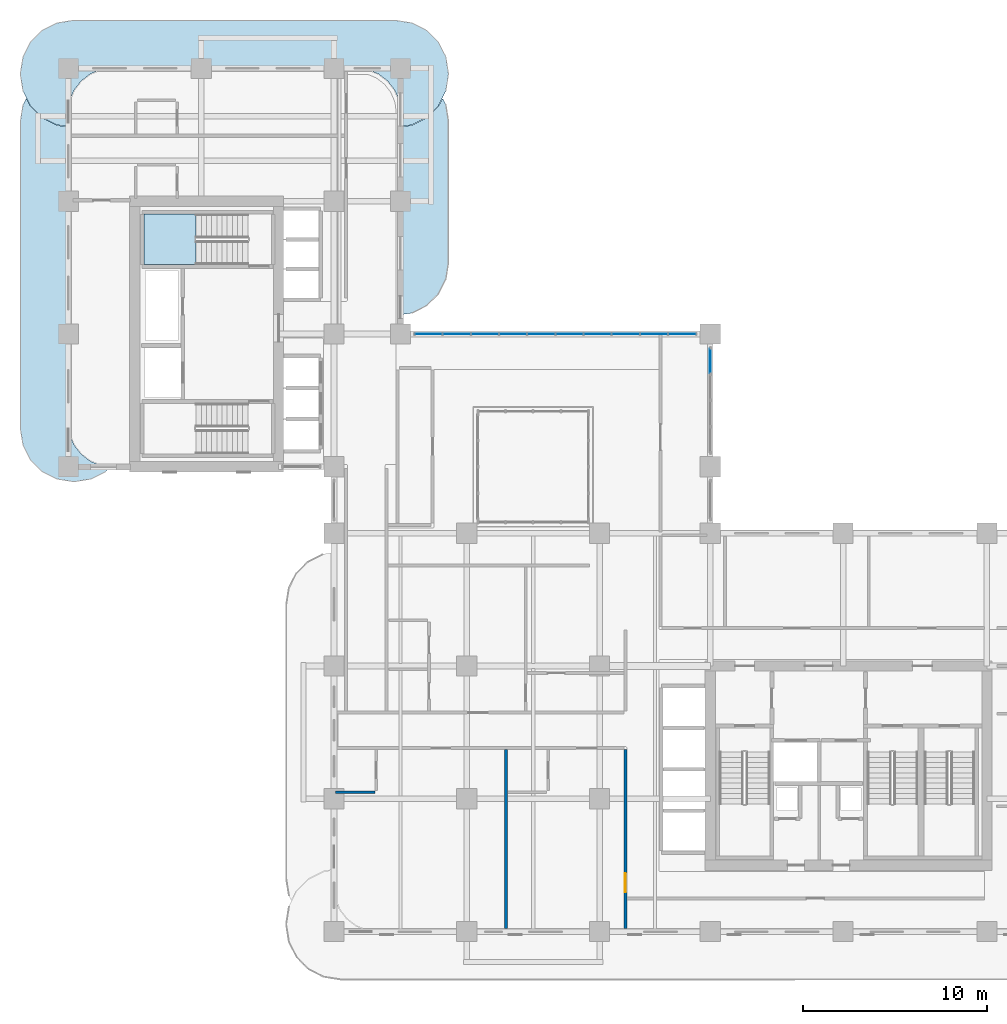
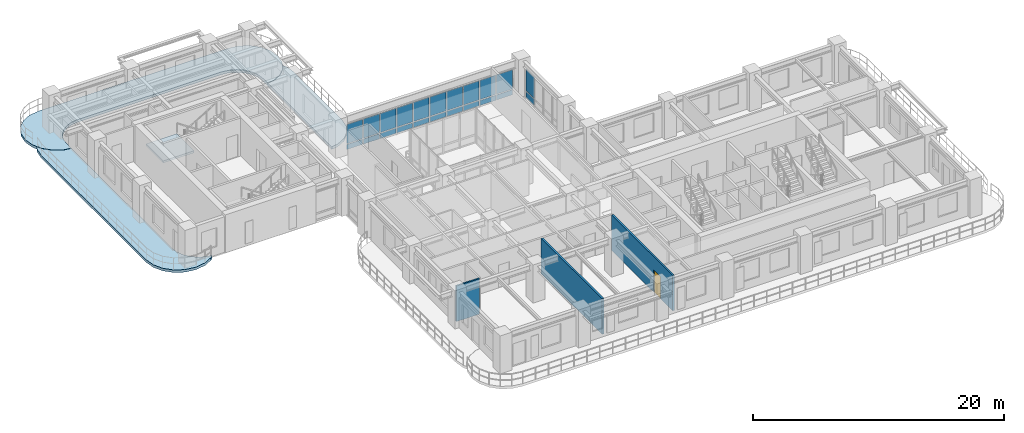
# One storey, part 11 of 22: 22 plates, 4 slabs, 3 walls, 1 door, 1 opening, 3 elements without a shape of their own.
"""IFC4 building model written with IfcOpenShell, lengths in metres."""

from ifc_helpers import new_model, si_unit, derived_unit, direction, frame, frame_2d, origin, origin_2d, place, context, subcontext, project, spatial, polyline, rectangle, outline, extrude, source, transform, mapped, material, layer, layer_set, type_object, type_shapes, element, fill, aggregate, save


model = new_model("IFC4")

# Units and contexts
model_context = context("Model", 3, precision=1e-05, world=origin(), true_north=direction((0.0, 1.0)))
body_context = subcontext(model_context, "Body", "Model", "MODEL_VIEW")
ifc_project = project(units=[si_unit("LENGTHUNIT", "METRE"), si_unit("AREAUNIT", "SQUARE_METRE"), si_unit("VOLUMEUNIT", "CUBIC_METRE"), si_unit("PLANEANGLEUNIT", "RADIAN"), si_unit("MASSUNIT", "GRAM", prefix="KILO"), si_unit("THERMODYNAMICTEMPERATUREUNIT", "KELVIN"), si_unit("POWERUNIT", "WATT"), derived_unit("THERMALTRANSMITTANCEUNIT", [(si_unit("POWERUNIT", "WATT"), 1), (si_unit("AREAUNIT", "SQUARE_METRE"), -1), (si_unit("THERMODYNAMICTEMPERATUREUNIT", "KELVIN"), -1)])], contexts=[model_context])

# Site, building, storey
site_placement = place(None, origin())
site = spatial("IfcSite", under=ifc_project, at=site_placement, CompositionType="ELEMENT")
building_placement = place(site_placement, origin())
building = spatial("IfcBuilding", under=site, at=building_placement, Name="Zahravan Archway Hotel and Residences", CompositionType="ELEMENT")
storey_placement = place(building_placement, frame((0.0, 0.0, 91.60009765625)))
storey = spatial("IfcBuildingStorey", under=building, at=storey_placement, Name="L22", CompositionType="ELEMENT", Elevation=91.60009765625)

# Slabs
ifc_material_1 = material(Name="Concrete C45/55", Category="concrete")
ifc_layer_1 = layer(ifc_material_1, 0.25, Name="Concrete C45/55", Category="concrete")
ifc_layer_set_1 = layer_set([ifc_layer_1], Name="Concrete C45/55")
slab_type_1 = type_object("IfcSlabType", Name="SLB-BALC-250", PredefinedType="FLOOR", material=ifc_layer_set_1)
slab_1_placement = place(storey_placement, frame((0.0, 0.0, -0.25)))
element("IfcSlab", 1, at=slab_1_placement, inside=storey, type_object=slab_type_1, Name="L22 Wing B North Rounded Balcony Band", PredefinedType="FLOOR", context=body_context, shape_type="SweptSolid", body=[
    extrude(outline(polyline([(-0.630615234375, 43.739501953125), (-1.42529296875, 44.144287109375), (-2.0556640625, 44.77490234375), (-2.46044921875, 45.5693359375), (-2.60009765625, 46.449951171875), (-2.60009765625, 46.550048828125), (-2.46044921875, 47.4306640625), (-2.0556640625, 48.22509765625), (-1.42529296875, 48.855712890625), (-0.630615234375, 49.260498046875), (0.25, 49.39990234375), (17.75, 49.39990234375), (18.630615234375, 49.260498046875), (19.42529296875, 48.855712890625), (20.0556640625, 48.22509765625), (20.46044921875, 47.4306640625), (20.60009765625, 46.550048828125), (20.60009765625, 46.449951171875), (20.46044921875, 45.5693359375), (20.0556640625, 44.77490234375), (19.42529296875, 44.144287109375), (18.630615234375, 43.739501953125), (18.02001953125, 43.642822265625), (18.02001953125, 44.39990234375), (18.019775390625, 44.402587890625), (17.93798828125, 45.023681640625), (17.937744140625, 45.025390625), (17.937255859375, 45.027099609375), (17.936767578125, 45.02880859375), (17.697021484375, 45.607666015625), (17.6962890625, 45.609130859375), (17.6953125, 45.610595703125), (17.6943359375, 45.6123046875), (17.31298828125, 46.109375), (17.311767578125, 46.110595703125), (17.310546875, 46.11181640625), (17.309326171875, 46.113037109375), (16.812255859375, 46.494384765625), (16.810791015625, 46.495361328125), (16.80908203125, 46.49609375), (16.8076171875, 46.4970703125), (16.22900390625, 46.73681640625), (16.227294921875, 46.7373046875), (16.2255859375, 46.73779296875), (16.223876953125, 46.738037109375), (15.6025390625, 46.81982421875), (15.60009765625, 46.820068359375), (2.39990234375, 46.820068359375), (2.3974609375, 46.81982421875), (1.776123046875, 46.738037109375), (1.7744140625, 46.73779296875), (1.772705078125, 46.7373046875), (1.77099609375, 46.73681640625), (1.1923828125, 46.4970703125), (1.19091796875, 46.49609375), (1.189208984375, 46.495361328125), (1.187744140625, 46.494384765625), (0.690673828125, 46.113037109375), (0.689453125, 46.11181640625), (0.688232421875, 46.110595703125), (0.68701171875, 46.109375), (0.3056640625, 45.6123046875), (0.3046875, 45.610595703125), (0.3037109375, 45.609130859375), (0.302978515625, 45.607666015625), (0.063232421875, 45.02880859375), (0.062744140625, 45.027099609375), (0.062255859375, 45.025390625), (0.06201171875, 45.023681640625), (-0.019775390625, 44.402587890625), (-0.02001953125, 44.39990234375), (-0.02001953125, 43.642822265625), (-0.630615234375, 43.739501953125)])), origin(), (0.0, 0.0, 1.0), 0.25),
])
slab_2_placement = place(storey_placement, frame((0.0, 0.0, -0.25)))
element("IfcSlab", 2, at=slab_2_placement, inside=storey, type_object=slab_type_1, Name="L22 Wing B West Rounded Balcony Band", PredefinedType="FLOOR", context=body_context, shape_type="SweptSolid", body=[
    extrude(outline(polyline([(2.025146484375, 24.9443359375), (1.230712890625, 24.53955078125), (0.35009765625, 24.39990234375), (0.25, 24.39990234375), (-0.630615234375, 24.53955078125), (-1.42529296875, 24.9443359375), (-2.0556640625, 25.57470703125), (-2.46044921875, 26.369384765625), (-2.60009765625, 27.25), (-2.60009765625, 43.949951171875), (-2.46044921875, 44.830810546875), (-2.28369140625, 45.177978515625), (-2.073486328125, 44.765625), (-2.072509765625, 44.763916015625), (-2.0712890625, 44.76220703125), (-2.06982421875, 44.7607421875), (-1.439208984375, 44.130126953125), (-1.437744140625, 44.12890625), (-1.43603515625, 44.12744140625), (-1.434326171875, 44.12646484375), (-0.639892578125, 43.7216796875), (-0.637939453125, 43.720703125), (-0.635986328125, 43.72021484375), (-0.6337890625, 43.7197265625), (-0.023193359375, 43.623046875), (-0.021240234375, 43.622802734375), (-0.02001953125, 43.622802734375), (-0.02001953125, 27.60009765625), (-0.019775390625, 27.597412109375), (0.06201171875, 26.976318359375), (0.062255859375, 26.974609375), (0.062744140625, 26.972900390625), (0.063232421875, 26.97119140625), (0.302978515625, 26.392333984375), (0.3037109375, 26.390869140625), (0.3046875, 26.389404296875), (0.3056640625, 26.3876953125), (0.68701171875, 25.890625), (0.688232421875, 25.889404296875), (0.689453125, 25.88818359375), (0.690673828125, 25.886962890625), (1.187744140625, 25.505615234375), (1.189208984375, 25.504638671875), (1.19091796875, 25.50390625), (1.1923828125, 25.5029296875), (1.77099609375, 25.26318359375), (1.772705078125, 25.2626953125), (1.7744140625, 25.26220703125), (1.776123046875, 25.261962890625), (2.27685546875, 25.196044921875), (2.025146484375, 24.9443359375)])), origin(), (0.0, 0.0, 1.0), 0.25),
])
slab_3_placement = place(storey_placement, frame((0.0, 0.0, -0.25)))
element("IfcSlab", 3, at=slab_3_placement, inside=storey, type_object=slab_type_1, Name="L22 Wing B East Rounded Balcony Band", PredefinedType="FLOOR", context=body_context, shape_type="SweptSolid", body=[
    extrude(outline(polyline([(20.46044921875, 44.830810546875), (20.60009765625, 43.949951171875), (20.60009765625, 36.25), (20.46044921875, 35.369384765625), (20.0556640625, 34.57470703125), (19.42529296875, 33.9443359375), (18.630615234375, 33.53955078125), (18.02001953125, 33.44287109375), (18.02001953125, 43.622802734375), (18.021240234375, 43.622802734375), (18.023193359375, 43.623046875), (18.6337890625, 43.7197265625), (18.635986328125, 43.72021484375), (18.637939453125, 43.720703125), (18.639892578125, 43.7216796875), (19.434326171875, 44.12646484375), (19.43603515625, 44.12744140625), (19.437744140625, 44.12890625), (19.439208984375, 44.130126953125), (20.06982421875, 44.7607421875), (20.0712890625, 44.76220703125), (20.072509765625, 44.763916015625), (20.073486328125, 44.765625), (20.28369140625, 45.177978515625), (20.46044921875, 44.830810546875)])), origin(), (0.0, 0.0, 1.0), 0.25),
])

# Stair, slab
ifc_material_2 = material(Name="Concrete C50/60", Category="concrete")
stair_type = type_object("IfcStairType", Name="STR-CORE-1300", PredefinedType="HALF_TURN_STAIR", material=ifc_material_2)
stair_placement = place(storey_placement, origin())
stair = element("IfcStair", 4, at=stair_placement, inside=storey, type_object=stair_type, Name="L22 Core B Exit Stair 2", PredefinedType="HALF_TURN_STAIR")
ifc_layer_2 = layer(ifc_material_2, 0.199951171875, Name="Concrete C50/60", Category="concrete")
ifc_layer_set_2 = layer_set([ifc_layer_2], Name="Concrete C50/60")
slab_type_2 = type_object("IfcSlabType", Name="SLB-LND-200", PredefinedType="LANDING", material=ifc_layer_set_2)
slab_4_placement = place(storey_placement, frame((0.0, 0.0, 1.64990234375)))
slab_4 = element("IfcSlab", 5, at=slab_4_placement, type_object=slab_type_2, Name="ST-B2 landing 1", PredefinedType="LANDING", context=body_context, shape_type="SweptSolid", body=[
    extrude(outline(polyline([(6.929931640625, 38.89990234375), (4.10009765625, 38.89990234375), (4.10009765625, 36.159912109375), (6.929931640625, 36.159912109375), (6.929931640625, 38.89990234375)])), origin(), (0.0, 0.0, 1.0), 0.199951171875),
])
aggregate(stair, [slab_4])

# Curtain wall, plates
ifc_material_3 = material(Name="Bronze-Anodized Unitised Aluminium & Low-E Glass", Category="aluminium")
ifc_layer_3 = layer(ifc_material_3, 0.179931640625, Name="Bronze-Anodized Unitised Aluminium & Low-E Glass", Category="aluminium")
ifc_layer_set_3 = layer_set([ifc_layer_3], Name="Bronze-Anodized Unitised Aluminium & Low-E Glass")
curtain_wall_type = type_object("IfcCurtainWallType", Name="CW-ATR-GLAZ", PredefinedType="NOTDEFINED", material=ifc_layer_set_3)
curtain_wall_1_placement = place(storey_placement, origin())
curtain_wall_1 = element("IfcCurtainWall", 6, at=curtain_wall_1_placement, inside=storey, type_object=curtain_wall_type, Name="L22 Curtain Wall CW-L22-HNG-E-2", PredefinedType="NOTDEFINED")
ifc_material_4 = material(Name="Insulated Terracotta Spandrel Panel", Category="masonry")
ifc_layer_4 = layer(ifc_material_4, 0.0400390625, Name="Insulated Terracotta Spandrel Panel", Category="masonry")
ifc_layer_set_4 = layer_set([ifc_layer_4], Name="Insulated Terracotta Spandrel Panel")
plate_type_1 = type_object("IfcPlateType", Name="CWP-SPN-40", PredefinedType="SHEET", material=ifc_layer_set_4)
shared_shape_1 = source(origin(), body_context, "Body", "SweptSolid", [
    extrude(rectangle(XDim=1.340087890625, YDim=0.0400390625, at=origin_2d()), origin(), (0.0, 0.0, 1.0), 0.552490234375),
])
plate_1_placement = place(storey_placement, frame((34.800048828125, 30.929931640625, 0.10009765625), z_axis=(0.0, 0.0, 1.0), x_axis=(0.0, 1.0, 0.0)))
plate_1 = element("IfcPlate", 7, at=plate_1_placement, type_object=plate_type_1, Name="CW-L22-HNG-E-2 Spandrel Panel 3", PredefinedType="SHEET", context=body_context, shape_type="MappedRepresentation", body=[
    mapped(shared_shape_1, transform((0.0, 0.0, 0.0), scale=1.0)),
])
ifc_material_5 = material(Name="Double-Silver Low-E Insulated Vision Glass", Category="glass")
ifc_layer_5 = layer(ifc_material_5, 0.028076171875, Name="Double-Silver Low-E Insulated Vision Glass", Category="glass")
ifc_layer_set_5 = layer_set([ifc_layer_5], Name="Double-Silver Low-E Insulated Vision Glass")
plate_type_2 = type_object("IfcPlateType", Name="CWP-GLZ-28", PredefinedType="CURTAIN_PANEL", material=ifc_layer_set_5)
shared_shape_2 = source(origin(), body_context, "Body", "SweptSolid", [
    extrude(rectangle(XDim=1.340087890625, YDim=0.028076171875, at=origin_2d()), origin(), (0.0, 0.0, 1.0), 2.052490234375),
])
plate_2_placement = place(storey_placement, frame((34.800048828125, 30.929931640625, 0.732421875), z_axis=(0.0, 0.0, 1.0), x_axis=(0.0, 1.0, 0.0)))
plate_2 = element("IfcPlate", 8, at=plate_2_placement, type_object=plate_type_2, Name="CW-L22-HNG-E-2 Low-E Vision Panel 3", PredefinedType="CURTAIN_PANEL", context=body_context, shape_type="MappedRepresentation", body=[
    mapped(shared_shape_2, transform((0.0, 0.0, 0.0), scale=1.0)),
])
aggregate(curtain_wall_1, [plate_1, plate_2])

curtain_wall_2_placement = place(storey_placement, origin())
curtain_wall_2 = element("IfcCurtainWall", 9, at=curtain_wall_2_placement, inside=storey, type_object=curtain_wall_type, Name="L22 Curtain Wall CW-L22-HNG-N-1", PredefinedType="NOTDEFINED")
shared_shape_3 = source(origin(), body_context, "Body", "SweptSolid", [
    extrude(rectangle(XDim=1.447998046875, YDim=0.0400390625, at=origin_2d()), origin(), (0.0, 0.0, 1.0), 0.492431640625),
])
plate_3_placement = place(storey_placement, frame((19.52392578125, 32.39990234375, 0.10009765625), z_axis=(0.0, 0.0, 1.0), x_axis=(1.0, 0.0, 0.0)))
plate_3 = element("IfcPlate", 10, at=plate_3_placement, type_object=plate_type_1, Name="CW-L22-HNG-N-1 Spandrel Panel 0", PredefinedType="SHEET", context=body_context, shape_type="MappedRepresentation", body=[
    mapped(shared_shape_3, transform((0.0, 0.0, 0.0), scale=1.0)),
])
plate_4_placement = place(storey_placement, frame((21.052001953125, 32.39990234375, 0.10009765625), z_axis=(0.0, 0.0, 1.0), x_axis=(1.0, 0.0, 0.0)))
plate_4 = element("IfcPlate", 11, at=plate_4_placement, type_object=plate_type_1, Name="CW-L22-HNG-N-1 Spandrel Panel 1", PredefinedType="SHEET", context=body_context, shape_type="MappedRepresentation", body=[
    mapped(shared_shape_3, transform((0.0, 0.0, 0.0), scale=1.0)),
])
plate_5_placement = place(storey_placement, frame((22.580078125, 32.39990234375, 0.10009765625), z_axis=(0.0, 0.0, 1.0), x_axis=(1.0, 0.0, 0.0)))
plate_5 = element("IfcPlate", 12, at=plate_5_placement, type_object=plate_type_1, Name="CW-L22-HNG-N-1 Spandrel Panel 2", PredefinedType="SHEET", context=body_context, shape_type="MappedRepresentation", body=[
    mapped(shared_shape_3, transform((0.0, 0.0, 0.0), scale=1.0)),
])
plate_6_placement = place(storey_placement, frame((24.10791015625, 32.39990234375, 0.10009765625), z_axis=(0.0, 0.0, 1.0), x_axis=(1.0, 0.0, 0.0)))
plate_6 = element("IfcPlate", 13, at=plate_6_placement, type_object=plate_type_1, Name="CW-L22-HNG-N-1 Spandrel Panel 3", PredefinedType="SHEET", context=body_context, shape_type="MappedRepresentation", body=[
    mapped(shared_shape_3, transform((0.0, 0.0, 0.0), scale=1.0)),
])
plate_7_placement = place(storey_placement, frame((25.635986328125, 32.39990234375, 0.10009765625), z_axis=(0.0, 0.0, 1.0), x_axis=(1.0, 0.0, 0.0)))
plate_7 = element("IfcPlate", 14, at=plate_7_placement, type_object=plate_type_1, Name="CW-L22-HNG-N-1 Spandrel Panel 4", PredefinedType="SHEET", context=body_context, shape_type="MappedRepresentation", body=[
    mapped(shared_shape_3, transform((0.0, 0.0, 0.0), scale=1.0)),
])
plate_8_placement = place(storey_placement, frame((27.1640625, 32.39990234375, 0.10009765625), z_axis=(0.0, 0.0, 1.0), x_axis=(1.0, 0.0, 0.0)))
plate_8 = element("IfcPlate", 15, at=plate_8_placement, type_object=plate_type_1, Name="CW-L22-HNG-N-1 Spandrel Panel 5", PredefinedType="SHEET", context=body_context, shape_type="MappedRepresentation", body=[
    mapped(shared_shape_3, transform((0.0, 0.0, 0.0), scale=1.0)),
])
plate_9_placement = place(storey_placement, frame((28.69189453125, 32.39990234375, 0.10009765625), z_axis=(0.0, 0.0, 1.0), x_axis=(1.0, 0.0, 0.0)))
plate_9 = element("IfcPlate", 16, at=plate_9_placement, type_object=plate_type_1, Name="CW-L22-HNG-N-1 Spandrel Panel 6", PredefinedType="SHEET", context=body_context, shape_type="MappedRepresentation", body=[
    mapped(shared_shape_3, transform((0.0, 0.0, 0.0), scale=1.0)),
])
plate_10_placement = place(storey_placement, frame((30.219970703125, 32.39990234375, 0.10009765625), z_axis=(0.0, 0.0, 1.0), x_axis=(1.0, 0.0, 0.0)))
plate_10 = element("IfcPlate", 17, at=plate_10_placement, type_object=plate_type_1, Name="CW-L22-HNG-N-1 Spandrel Panel 7", PredefinedType="SHEET", context=body_context, shape_type="MappedRepresentation", body=[
    mapped(shared_shape_3, transform((0.0, 0.0, 0.0), scale=1.0)),
])
plate_11_placement = place(storey_placement, frame((31.748046875, 32.39990234375, 0.10009765625), z_axis=(0.0, 0.0, 1.0), x_axis=(1.0, 0.0, 0.0)))
plate_11 = element("IfcPlate", 18, at=plate_11_placement, type_object=plate_type_1, Name="CW-L22-HNG-N-1 Spandrel Panel 8", PredefinedType="SHEET", context=body_context, shape_type="MappedRepresentation", body=[
    mapped(shared_shape_3, transform((0.0, 0.0, 0.0), scale=1.0)),
])
plate_12_placement = place(storey_placement, frame((33.27587890625, 32.39990234375, 0.10009765625), z_axis=(0.0, 0.0, 1.0), x_axis=(1.0, 0.0, 0.0)))
plate_12 = element("IfcPlate", 19, at=plate_12_placement, type_object=plate_type_1, Name="CW-L22-HNG-N-1 Spandrel Panel 9", PredefinedType="SHEET", context=body_context, shape_type="MappedRepresentation", body=[
    mapped(shared_shape_3, transform((0.0, 0.0, 0.0), scale=1.0)),
])
shared_shape_4 = source(origin(), body_context, "Body", "SweptSolid", [
    extrude(rectangle(XDim=1.447998046875, YDim=0.028076171875, at=origin_2d()), origin(), (0.0, 0.0, 1.0), 1.862548828125),
])
plate_13_placement = place(storey_placement, frame((19.52392578125, 32.39990234375, 0.67236328125), z_axis=(0.0, 0.0, 1.0), x_axis=(1.0, 0.0, 0.0)))
plate_13 = element("IfcPlate", 20, at=plate_13_placement, type_object=plate_type_2, Name="CW-L22-HNG-N-1 Low-E Vision Panel 0", PredefinedType="CURTAIN_PANEL", context=body_context, shape_type="MappedRepresentation", body=[
    mapped(shared_shape_4, transform((0.0, 0.0, 0.0), scale=1.0)),
])
plate_14_placement = place(storey_placement, frame((21.052001953125, 32.39990234375, 0.67236328125), z_axis=(0.0, 0.0, 1.0), x_axis=(1.0, 0.0, 0.0)))
plate_14 = element("IfcPlate", 21, at=plate_14_placement, type_object=plate_type_2, Name="CW-L22-HNG-N-1 Low-E Vision Panel 1", PredefinedType="CURTAIN_PANEL", context=body_context, shape_type="MappedRepresentation", body=[
    mapped(shared_shape_4, transform((0.0, 0.0, 0.0), scale=1.0)),
])
plate_15_placement = place(storey_placement, frame((22.580078125, 32.39990234375, 0.67236328125), z_axis=(0.0, 0.0, 1.0), x_axis=(1.0, 0.0, 0.0)))
plate_15 = element("IfcPlate", 22, at=plate_15_placement, type_object=plate_type_2, Name="CW-L22-HNG-N-1 Low-E Vision Panel 2", PredefinedType="CURTAIN_PANEL", context=body_context, shape_type="MappedRepresentation", body=[
    mapped(shared_shape_4, transform((0.0, 0.0, 0.0), scale=1.0)),
])
plate_16_placement = place(storey_placement, frame((24.10791015625, 32.39990234375, 0.67236328125), z_axis=(0.0, 0.0, 1.0), x_axis=(1.0, 0.0, 0.0)))
plate_16 = element("IfcPlate", 23, at=plate_16_placement, type_object=plate_type_2, Name="CW-L22-HNG-N-1 Low-E Vision Panel 3", PredefinedType="CURTAIN_PANEL", context=body_context, shape_type="MappedRepresentation", body=[
    mapped(shared_shape_4, transform((0.0, 0.0, 0.0), scale=1.0)),
])
plate_17_placement = place(storey_placement, frame((25.635986328125, 32.39990234375, 0.67236328125), z_axis=(0.0, 0.0, 1.0), x_axis=(1.0, 0.0, 0.0)))
plate_17 = element("IfcPlate", 24, at=plate_17_placement, type_object=plate_type_2, Name="CW-L22-HNG-N-1 Low-E Vision Panel 4", PredefinedType="CURTAIN_PANEL", context=body_context, shape_type="MappedRepresentation", body=[
    mapped(shared_shape_4, transform((0.0, 0.0, 0.0), scale=1.0)),
])
plate_18_placement = place(storey_placement, frame((27.1640625, 32.39990234375, 0.67236328125), z_axis=(0.0, 0.0, 1.0), x_axis=(1.0, 0.0, 0.0)))
plate_18 = element("IfcPlate", 25, at=plate_18_placement, type_object=plate_type_2, Name="CW-L22-HNG-N-1 Low-E Vision Panel 5", PredefinedType="CURTAIN_PANEL", context=body_context, shape_type="MappedRepresentation", body=[
    mapped(shared_shape_4, transform((0.0, 0.0, 0.0), scale=1.0)),
])
plate_19_placement = place(storey_placement, frame((28.69189453125, 32.39990234375, 0.67236328125), z_axis=(0.0, 0.0, 1.0), x_axis=(1.0, 0.0, 0.0)))
plate_19 = element("IfcPlate", 26, at=plate_19_placement, type_object=plate_type_2, Name="CW-L22-HNG-N-1 Low-E Vision Panel 6", PredefinedType="CURTAIN_PANEL", context=body_context, shape_type="MappedRepresentation", body=[
    mapped(shared_shape_4, transform((0.0, 0.0, 0.0), scale=1.0)),
])
plate_20_placement = place(storey_placement, frame((30.219970703125, 32.39990234375, 0.67236328125), z_axis=(0.0, 0.0, 1.0), x_axis=(1.0, 0.0, 0.0)))
plate_20 = element("IfcPlate", 27, at=plate_20_placement, type_object=plate_type_2, Name="CW-L22-HNG-N-1 Low-E Vision Panel 7", PredefinedType="CURTAIN_PANEL", context=body_context, shape_type="MappedRepresentation", body=[
    mapped(shared_shape_4, transform((0.0, 0.0, 0.0), scale=1.0)),
])
plate_21_placement = place(storey_placement, frame((31.748046875, 32.39990234375, 0.67236328125), z_axis=(0.0, 0.0, 1.0), x_axis=(1.0, 0.0, 0.0)))
plate_21 = element("IfcPlate", 28, at=plate_21_placement, type_object=plate_type_2, Name="CW-L22-HNG-N-1 Low-E Vision Panel 8", PredefinedType="CURTAIN_PANEL", context=body_context, shape_type="MappedRepresentation", body=[
    mapped(shared_shape_4, transform((0.0, 0.0, 0.0), scale=1.0)),
])
plate_22_placement = place(storey_placement, frame((33.27587890625, 32.39990234375, 0.67236328125), z_axis=(0.0, 0.0, 1.0), x_axis=(1.0, 0.0, 0.0)))
plate_22 = element("IfcPlate", 29, at=plate_22_placement, type_object=plate_type_2, Name="CW-L22-HNG-N-1 Low-E Vision Panel 9", PredefinedType="CURTAIN_PANEL", context=body_context, shape_type="MappedRepresentation", body=[
    mapped(shared_shape_4, transform((0.0, 0.0, 0.0), scale=1.0)),
])
aggregate(curtain_wall_2, [plate_3, plate_13, plate_4, plate_14, plate_5, plate_15, plate_6, plate_16, plate_7, plate_17, plate_8, plate_18, plate_9, plate_19, plate_10, plate_20, plate_11, plate_21, plate_12, plate_22])

# Wall, opening, door
ifc_material_6 = material(Name="Fire-Rated Gypsum & Concrete Block", Category="concrete")
ifc_layer_6 = layer(ifc_material_6, 0.159912109375, Name="Fire-Rated Gypsum & Concrete Block", Category="concrete")
ifc_layer_set_6 = layer_set([ifc_layer_6], Name="Fire-Rated Gypsum & Concrete Block")
wall_type_1 = type_object("IfcWallType", Name="PW-CORR-160", PredefinedType="PARTITIONING", material=ifc_layer_set_6)
wall_1_placement = place(storey_placement, frame((30.199951171875, 0.16796875, 0.0), z_axis=(0.0, 0.0, 1.0), x_axis=(0.0, 1.0, 0.0)))
wall_1 = element("IfcWall", 30, at=wall_1_placement, inside=storey, type_object=wall_type_1, Name="L22 Partition WA-SRW", PredefinedType="PARTITIONING", context=body_context, shape_type="SweptSolid", body=[
    extrude(rectangle(XDim=9.692138671875, YDim=0.159912109375, at=frame_2d((4.84619140625, 0.0))), origin(), (0.0, 0.0, 1.0), 3.449951171875),
])
opening_placement = place(wall_1_placement, frame((1.95703125, 0.0, 0.0)))
opening = element("IfcOpeningElement", 31, at=opening_placement, cuts=wall_1, Name="Opening FD-L2", PredefinedType="OPENING", context=body_context, shape_type="SweptSolid", body=[
    extrude(rectangle(XDim=1.050048828125, YDim=2.14990234375, at=frame_2d((0.52490234375, 1.074951171875))), frame((0.0, 0.08984375, 0.0), z_axis=(0.0, -1.0, 0.0), x_axis=(1.0, 0.0, 0.0)), (0.0, 0.0, 1.0), 0.179931640625),
])
ifc_material_7 = material(Name="Fire-Rated Painted Steel", Category="steel")
door_type = type_object("IfcDoorType", Name="FD-LOBBY-1100", OperationType="NOTDEFINED", PredefinedType="DOOR", material=ifc_material_7)
shared_shape_5 = source(origin(), body_context, "Body", "SweptSolid", [
    extrude(rectangle(XDim=1.050048828125, YDim=2.14990234375, at=frame_2d((0.52490234375, 1.074951171875))), frame((0.0, 0.02490234375, 0.0), z_axis=(0.0, -1.0, 0.0), x_axis=(1.0, 0.0, 0.0)), (0.0, 0.0, 1.0), 0.050048828125),
])
type_shapes(door_type, [shared_shape_5])
door_placement = place(opening_placement, origin())
door = element("IfcDoor", 32, at=door_placement, inside=storey, type_object=door_type, Name="L22 South Riser Corridor Door", OperationType="SINGLE_SWING_RIGHT", OverallHeight=2.14990234375, OverallWidth=1.050048828125, PredefinedType="DOOR", context=body_context, shape_type="MappedRepresentation", body=[
    mapped(shared_shape_5, transform((0.0, 0.0, 0.0), scale=1.0)),
])
fill(opening, door)

# Walls
ifc_material_8 = material(Name="Acoustic Stud Partition")
ifc_layer_7 = layer(ifc_material_8, 0.169921875, Name="Acoustic Stud Partition")
ifc_layer_set_7 = layer_set([ifc_layer_7], Name="Acoustic Stud Partition")
wall_type_2 = type_object("IfcWallType", Name="PW-UNIT-170", PredefinedType="PARTITIONING", material=ifc_layer_set_7)
wall_2_placement = place(storey_placement, frame((23.719970703125, 0.16796875, 0.0), z_axis=(0.0, 0.0, 1.0), x_axis=(0.0, 1.0, 0.0)))
element("IfcWall", 33, at=wall_2_placement, inside=storey, type_object=wall_type_2, Name="L22 Partition WAS-1M", PredefinedType="PARTITIONING", context=body_context, shape_type="SweptSolid", body=[
    extrude(rectangle(XDim=9.692138671875, YDim=0.169921875, at=frame_2d((4.84619140625, 0.0))), origin(), (0.0, 0.0, 1.0), 3.449951171875),
])
ifc_material_9 = material(Name="Moisture-Resistant Blockwork", Category="masonry")
ifc_layer_8 = layer(ifc_material_9, 0.139892578125, Name="Moisture-Resistant Blockwork", Category="masonry")
ifc_layer_set_8 = layer_set([ifc_layer_8], Name="Moisture-Resistant Blockwork")
wall_type_3 = type_object("IfcWallType", Name="PW-WET-140", PredefinedType="PARTITIONING", material=ifc_layer_set_8)
wall_3_placement = place(storey_placement, frame((14.489990234375, 7.550048828125, 0.0), z_axis=(0.0, 0.0, 1.0), x_axis=(1.0, 0.0, 0.0)))
element("IfcWall", 34, at=wall_3_placement, inside=storey, type_object=wall_type_3, Name="L22 Partition HKB-H11", PredefinedType="PARTITIONING", context=body_context, shape_type="SweptSolid", body=[
    extrude(rectangle(XDim=2.1201171875, YDim=0.139892578125, at=frame_2d((1.06005859375, 0.0))), origin(), (0.0, 0.0, 1.0), 3.449951171875),
])

save(model, "model.ifc")
